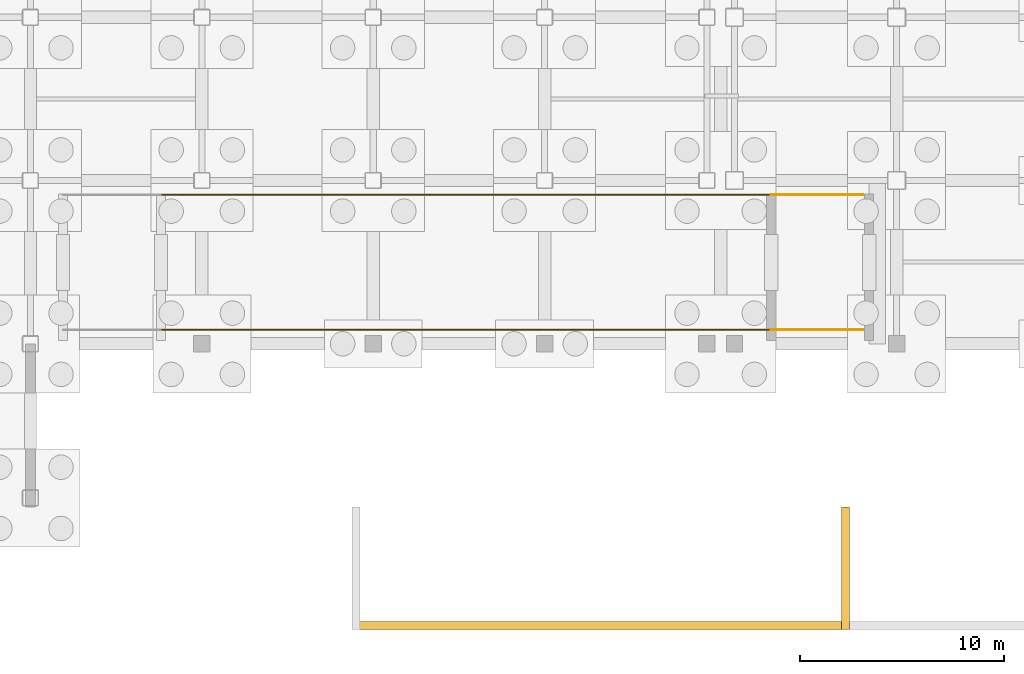
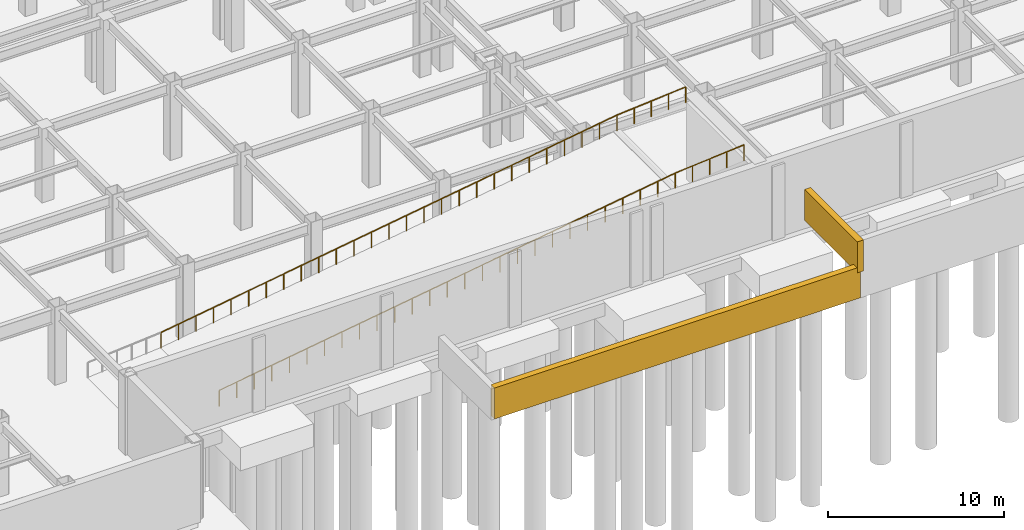
# One storey, part 46 of 55: 4 railings, 2 coverings.
"""IFC4 building model written with IfcOpenShell, lengths in metres."""

from ifc_helpers import new_model, si_unit, direction, frame, frame_2d, origin, origin_2d, place, context, subcontext, project, spatial, rectangle, circle, extrude, material, layer, layer_set, type_object, element, save


model = new_model("IFC4")

# Units and contexts
model_context = context("Model", 3, precision=1e-05, world=origin(), true_north=direction((0.0, 1.0)))
body_context = subcontext(model_context, "Body", "Model", "MODEL_VIEW")
ifc_project = project(units=[si_unit("LENGTHUNIT", "METRE"), si_unit("AREAUNIT", "SQUARE_METRE"), si_unit("VOLUMEUNIT", "CUBIC_METRE"), si_unit("PLANEANGLEUNIT", "RADIAN"), si_unit("MASSUNIT", "GRAM", prefix="KILO")], contexts=[model_context])

# Site, building, storey
site_placement = place(None, origin())
site = spatial("IfcSite", under=ifc_project, at=site_placement, CompositionType="ELEMENT")
building_placement = place(site_placement, origin())
building = spatial("IfcBuilding", under=site, at=building_placement, Name="Kazehara Bluff Congress Hotel", CompositionType="ELEMENT")
storey_placement = place(building_placement, frame((0.0, 0.0, -5.39990234375)))
storey = spatial("IfcBuildingStorey", under=building, at=storey_placement, Name="B1", CompositionType="ELEMENT", Elevation=-5.39990234375)

# Railings
ifc_material_1 = material(Name="Painted galvanised steel", Category="steel")
railing_type = type_object("IfcRailingType", Name="TP-GRD-EXT", PredefinedType="BALUSTRADE", material=ifc_material_1)
railing_1_placement = place(storey_placement, frame((82.449951171875, 8.68994140625, 0.39990234375)))
element("IfcRailing", 1, at=railing_1_placement, inside=storey, type_object=railing_type, Name="Vehicle ramp R1 side guard F2-S", PredefinedType="BALUSTRADE", context=body_context, shape_type="SweptSolid", body=[
    extrude(circle(Radius=0.02392578125, at=origin_2d()), frame((0.0, 0.0, 1.076171875), z_axis=(0.988371324457, 0.0, 0.152059609993), x_axis=(0.0, 1.0, 0.0)), (0.0, 0.0, 1.0), 30.251953125),
    extrude(circle(Radius=0.02099609375, at=origin_2d()), origin(), (0.0, 0.0, 1.0), 1.052001953125),
    extrude(circle(Radius=0.02099609375, at=origin_2d()), frame((1.14990234375, 0.0, 0.177001953125)), (0.0, 0.0, 1.0), 1.052001953125),
    extrude(circle(Radius=0.02099609375, at=origin_2d()), frame((2.300048828125, 0.0, 0.353759765625)), (0.0, 0.0, 1.0), 1.052001953125),
    extrude(circle(Radius=0.02099609375, at=origin_2d()), frame((3.449951171875, 0.0, 0.53076171875)), (0.0, 0.0, 1.0), 1.052001953125),
    extrude(circle(Radius=0.02099609375, at=origin_2d()), frame((4.60009765625, 0.0, 0.707763671875)), (0.0, 0.0, 1.0), 1.052001953125),
    extrude(circle(Radius=0.02099609375, at=origin_2d()), frame((5.75, 0.0, 0.884521484375)), (0.0, 0.0, 1.0), 1.052001953125),
    extrude(circle(Radius=0.02099609375, at=origin_2d()), frame((6.900146484375, 0.0, 1.0615234375)), (0.0, 0.0, 1.0), 1.052001953125),
    extrude(circle(Radius=0.02099609375, at=origin_2d()), frame((8.050048828125, 0.0, 1.238525390625)), (0.0, 0.0, 1.0), 1.052001953125),
    extrude(circle(Radius=0.02099609375, at=origin_2d()), frame((9.199951171875, 0.0, 1.41552734375)), (0.0, 0.0, 1.0), 1.052001953125),
    extrude(circle(Radius=0.02099609375, at=origin_2d()), frame((10.35009765625, 0.0, 1.59228515625)), (0.0, 0.0, 1.0), 1.052001953125),
    extrude(circle(Radius=0.02099609375, at=origin_2d()), frame((11.5, 0.0, 1.769287109375)), (0.0, 0.0, 1.0), 1.052001953125),
    extrude(circle(Radius=0.02099609375, at=origin_2d()), frame((12.650146484375, 0.0, 1.9462890625)), (0.0, 0.0, 1.0), 1.052001953125),
    extrude(circle(Radius=0.02099609375, at=origin_2d()), frame((13.800048828125, 0.0, 2.123046875)), (0.0, 0.0, 1.0), 1.052001953125),
    extrude(circle(Radius=0.02099609375, at=origin_2d()), frame((14.9501953125, 0.0, 2.300048828125)), (0.0, 0.0, 1.0), 1.052001953125),
    extrude(circle(Radius=0.02099609375, at=origin_2d()), frame((16.10009765625, 0.0, 2.47705078125)), (0.0, 0.0, 1.0), 1.052001953125),
    extrude(circle(Radius=0.02099609375, at=origin_2d()), frame((17.25, 0.0, 2.65380859375)), (0.0, 0.0, 1.0), 1.052001953125),
    extrude(circle(Radius=0.02099609375, at=origin_2d()), frame((18.400146484375, 0.0, 2.830810546875)), (0.0, 0.0, 1.0), 1.052001953125),
    extrude(circle(Radius=0.02099609375, at=origin_2d()), frame((19.550048828125, 0.0, 3.0078125)), (0.0, 0.0, 1.0), 1.052001953125),
    extrude(circle(Radius=0.02099609375, at=origin_2d()), frame((20.7001953125, 0.0, 3.1845703125)), (0.0, 0.0, 1.0), 1.052001953125),
    extrude(circle(Radius=0.02099609375, at=origin_2d()), frame((21.85009765625, 0.0, 3.361572265625)), (0.0, 0.0, 1.0), 1.052001953125),
    extrude(circle(Radius=0.02099609375, at=origin_2d()), frame((23.0, 0.0, 3.53857421875)), (0.0, 0.0, 1.0), 1.052001953125),
    extrude(circle(Radius=0.02099609375, at=origin_2d()), frame((24.150146484375, 0.0, 3.715576171875)), (0.0, 0.0, 1.0), 1.052001953125),
    extrude(circle(Radius=0.02099609375, at=origin_2d()), frame((25.300048828125, 0.0, 3.892333984375)), (0.0, 0.0, 1.0), 1.052001953125),
    extrude(circle(Radius=0.02099609375, at=origin_2d()), frame((26.4501953125, 0.0, 4.0693359375)), (0.0, 0.0, 1.0), 1.052001953125),
    extrude(circle(Radius=0.02099609375, at=origin_2d()), frame((27.60009765625, 0.0, 4.246337890625)), (0.0, 0.0, 1.0), 1.052001953125),
    extrude(circle(Radius=0.02099609375, at=origin_2d()), frame((28.750244140625, 0.0, 4.423095703125)), (0.0, 0.0, 1.0), 1.052001953125),
    extrude(circle(Radius=0.02099609375, at=origin_2d()), frame((29.900146484375, 0.0, 4.60009765625)), (0.0, 0.0, 1.0), 1.052001953125),
])
railing_2_placement = place(storey_placement, frame((82.449951171875, 15.31005859375, 0.39990234375)))
element("IfcRailing", 2, at=railing_2_placement, inside=storey, type_object=railing_type, Name="Vehicle ramp R1 side guard F2-N", PredefinedType="BALUSTRADE", context=body_context, shape_type="SweptSolid", body=[
    extrude(circle(Radius=0.02392578125, at=origin_2d()), frame((0.0, 0.0, 1.076171875), z_axis=(0.988371324457, 0.0, 0.152059609993), x_axis=(0.0, 1.0, 0.0)), (0.0, 0.0, 1.0), 30.251953125),
    extrude(circle(Radius=0.02099609375, at=origin_2d()), origin(), (0.0, 0.0, 1.0), 1.052001953125),
    extrude(circle(Radius=0.02099609375, at=origin_2d()), frame((1.14990234375, 0.0, 0.177001953125)), (0.0, 0.0, 1.0), 1.052001953125),
    extrude(circle(Radius=0.02099609375, at=origin_2d()), frame((2.300048828125, 0.0, 0.353759765625)), (0.0, 0.0, 1.0), 1.052001953125),
    extrude(circle(Radius=0.02099609375, at=origin_2d()), frame((3.449951171875, 0.0, 0.53076171875)), (0.0, 0.0, 1.0), 1.052001953125),
    extrude(circle(Radius=0.02099609375, at=origin_2d()), frame((4.60009765625, 0.0, 0.707763671875)), (0.0, 0.0, 1.0), 1.052001953125),
    extrude(circle(Radius=0.02099609375, at=origin_2d()), frame((5.75, 0.0, 0.884521484375)), (0.0, 0.0, 1.0), 1.052001953125),
    extrude(circle(Radius=0.02099609375, at=origin_2d()), frame((6.900146484375, 0.0, 1.0615234375)), (0.0, 0.0, 1.0), 1.052001953125),
    extrude(circle(Radius=0.02099609375, at=origin_2d()), frame((8.050048828125, 0.0, 1.238525390625)), (0.0, 0.0, 1.0), 1.052001953125),
    extrude(circle(Radius=0.02099609375, at=origin_2d()), frame((9.199951171875, 0.0, 1.41552734375)), (0.0, 0.0, 1.0), 1.052001953125),
    extrude(circle(Radius=0.02099609375, at=origin_2d()), frame((10.35009765625, 0.0, 1.59228515625)), (0.0, 0.0, 1.0), 1.052001953125),
    extrude(circle(Radius=0.02099609375, at=origin_2d()), frame((11.5, 0.0, 1.769287109375)), (0.0, 0.0, 1.0), 1.052001953125),
    extrude(circle(Radius=0.02099609375, at=origin_2d()), frame((12.650146484375, 0.0, 1.9462890625)), (0.0, 0.0, 1.0), 1.052001953125),
    extrude(circle(Radius=0.02099609375, at=origin_2d()), frame((13.800048828125, 0.0, 2.123046875)), (0.0, 0.0, 1.0), 1.052001953125),
    extrude(circle(Radius=0.02099609375, at=origin_2d()), frame((14.9501953125, 0.0, 2.300048828125)), (0.0, 0.0, 1.0), 1.052001953125),
    extrude(circle(Radius=0.02099609375, at=origin_2d()), frame((16.10009765625, 0.0, 2.47705078125)), (0.0, 0.0, 1.0), 1.052001953125),
    extrude(circle(Radius=0.02099609375, at=origin_2d()), frame((17.25, 0.0, 2.65380859375)), (0.0, 0.0, 1.0), 1.052001953125),
    extrude(circle(Radius=0.02099609375, at=origin_2d()), frame((18.400146484375, 0.0, 2.830810546875)), (0.0, 0.0, 1.0), 1.052001953125),
    extrude(circle(Radius=0.02099609375, at=origin_2d()), frame((19.550048828125, 0.0, 3.0078125)), (0.0, 0.0, 1.0), 1.052001953125),
    extrude(circle(Radius=0.02099609375, at=origin_2d()), frame((20.7001953125, 0.0, 3.1845703125)), (0.0, 0.0, 1.0), 1.052001953125),
    extrude(circle(Radius=0.02099609375, at=origin_2d()), frame((21.85009765625, 0.0, 3.361572265625)), (0.0, 0.0, 1.0), 1.052001953125),
    extrude(circle(Radius=0.02099609375, at=origin_2d()), frame((23.0, 0.0, 3.53857421875)), (0.0, 0.0, 1.0), 1.052001953125),
    extrude(circle(Radius=0.02099609375, at=origin_2d()), frame((24.150146484375, 0.0, 3.715576171875)), (0.0, 0.0, 1.0), 1.052001953125),
    extrude(circle(Radius=0.02099609375, at=origin_2d()), frame((25.300048828125, 0.0, 3.892333984375)), (0.0, 0.0, 1.0), 1.052001953125),
    extrude(circle(Radius=0.02099609375, at=origin_2d()), frame((26.4501953125, 0.0, 4.0693359375)), (0.0, 0.0, 1.0), 1.052001953125),
    extrude(circle(Radius=0.02099609375, at=origin_2d()), frame((27.60009765625, 0.0, 4.246337890625)), (0.0, 0.0, 1.0), 1.052001953125),
    extrude(circle(Radius=0.02099609375, at=origin_2d()), frame((28.750244140625, 0.0, 4.423095703125)), (0.0, 0.0, 1.0), 1.052001953125),
    extrude(circle(Radius=0.02099609375, at=origin_2d()), frame((29.900146484375, 0.0, 4.60009765625)), (0.0, 0.0, 1.0), 1.052001953125),
])
for number, where, name in (
    (3, (112.35009765625, 8.68994140625, 5.0), "Vehicle ramp R1 side guard F3-S"),
    (4, (112.35009765625, 15.31005859375, 5.0), "Vehicle ramp R1 side guard F3-N"),
):
    element("IfcRailing", number, at=place(storey_placement, frame(where)), inside=storey, type_object=railing_type, Name=name, PredefinedType="BALUSTRADE", context=body_context, shape_type="SweptSolid", body=[
        extrude(circle(Radius=0.02392578125, at=origin_2d()), frame((0.0, 0.0, 1.076171875), z_axis=(0.996545758245, 0.0, 0.083045479854), x_axis=(0.0, 1.0, 0.0)), (0.0, 0.0, 1.0), 4.515625),
        extrude(circle(Radius=0.02099609375, at=origin_2d()), origin(), (0.0, 0.0, 1.0), 1.052001953125),
        extrude(circle(Radius=0.02099609375, at=origin_2d()), frame((1.125, 0.0, 0.09375)), (0.0, 0.0, 1.0), 1.052001953125),
        extrude(circle(Radius=0.02099609375, at=origin_2d()), frame((2.25, 0.0, 0.1875)), (0.0, 0.0, 1.0), 1.052001953125),
        extrude(circle(Radius=0.02099609375, at=origin_2d()), frame((3.375, 0.0, 0.28125)), (0.0, 0.0, 1.0), 1.052001953125),
        extrude(circle(Radius=0.02099609375, at=origin_2d()), frame((4.5, 0.0, 0.375)), (0.0, 0.0, 1.0), 1.052001953125),
    ])

# Coverings
ifc_material_2 = material(Name="Granite ashlar bluff retaining facing", Category="masonry")
ifc_layer = layer(ifc_material_2, 0.39990234375)
ifc_layer_set = layer_set([ifc_layer], Name="Granite ashlar bluff retaining facing")
covering_type = type_object("IfcCoveringType", Name="TP-SITE-SKT", PredefinedType="CLADDING", material=ifc_layer_set)
covering_1_placement = place(storey_placement, frame((92.0, -5.800048828125, 5.0498046875), z_axis=(0.0, 0.0, 1.0), x_axis=(1.0, 0.0, 0.0)))
element("IfcCovering", 5, at=covering_1_placement, inside=storey, type_object=covering_type, Name="Osaka bluff granite earthwork retaining facing SKT-S2", PredefinedType="CLADDING", context=body_context, shape_type="SweptSolid", body=[
    extrude(rectangle(XDim=24.0, YDim=0.39990234375, at=frame_2d((12.0, 0.0))), origin(), (0.0, 0.0, 1.0), 2.150146484375),
])
covering_2_placement = place(storey_placement, frame((116.0, -6.0, 6.849853515625), z_axis=(0.0, 0.0, 1.0), x_axis=(0.0, 1.0, 0.0)))
element("IfcCovering", 6, at=covering_2_placement, inside=storey, type_object=covering_type, Name="Osaka bluff granite earthwork retaining facing SKT-S3R", PredefinedType="CLADDING", context=body_context, shape_type="SweptSolid", body=[
    extrude(rectangle(XDim=6.0, YDim=0.39990234375, at=frame_2d((3.0, 0.0))), origin(), (0.0, 0.0, 1.0), 2.150146484375),
])

save(model, "model.ifc")
